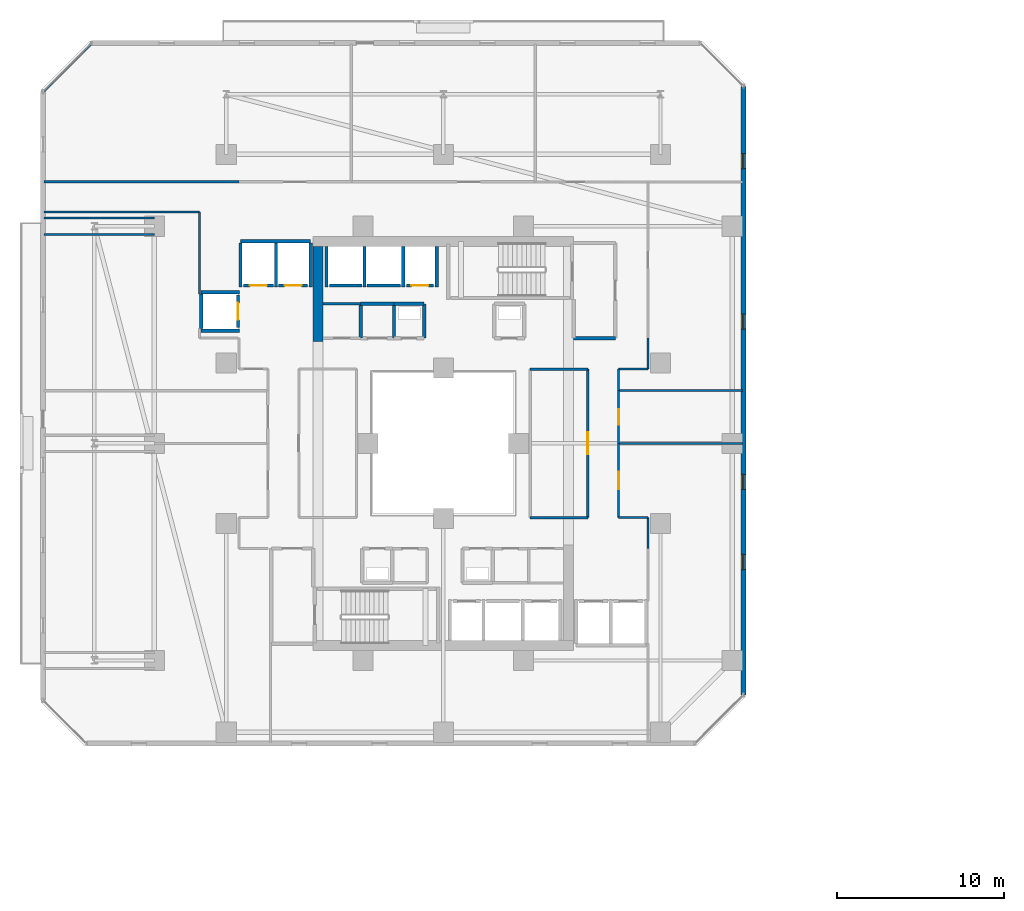
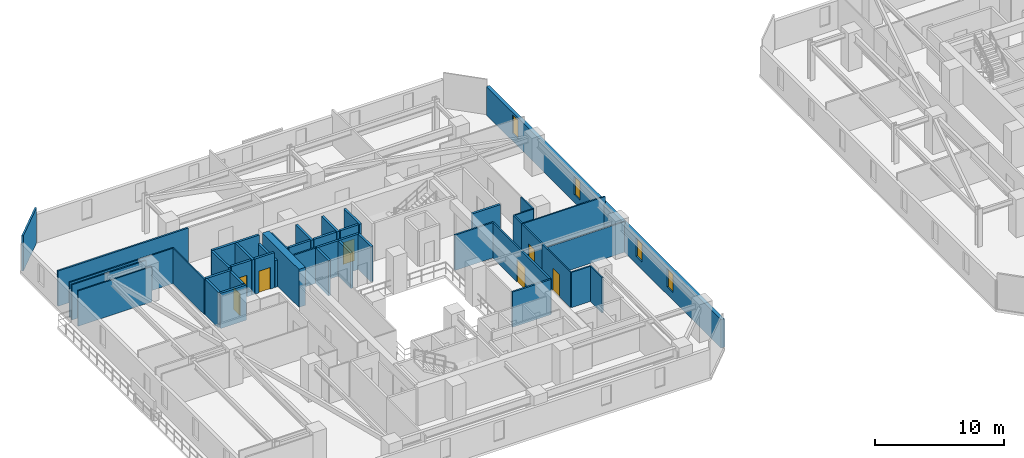
# One storey, part 21 of 33: 44 walls, 7 doors, 4 windows, 11 openings.
"""IFC4 building model written with IfcOpenShell, lengths in metres."""

from ifc_helpers import new_model, si_unit, direction, frame, frame_2d, origin, place, context, subcontext, project, spatial, rectangle, extrude, material, layer, layer_set, type_object, element, fill, save


model = new_model("IFC4")

# Units and contexts
model_context = context("Model", 3, precision=1e-05, world=origin(), true_north=direction((0.0, 1.0)))
body_context = subcontext(model_context, "Body", "Model", "MODEL_VIEW")
ifc_project = project(units=[si_unit("LENGTHUNIT", "METRE"), si_unit("AREAUNIT", "SQUARE_METRE"), si_unit("VOLUMEUNIT", "CUBIC_METRE"), si_unit("PLANEANGLEUNIT", "RADIAN"), si_unit("MASSUNIT", "GRAM", prefix="KILO")], contexts=[model_context])

# Site, building, storey
site_placement = place(None, origin())
site = spatial("IfcSite", under=ifc_project, at=site_placement, CompositionType="ELEMENT")
building_placement = place(site_placement, origin())
building = spatial("IfcBuilding", under=site, at=building_placement, Name="Thornwick Lancets Civic Towers", CompositionType="ELEMENT")
storey_placement = place(building_placement, frame((0.0, 0.0, 112.5)))
storey = spatial("IfcBuildingStorey", under=building, at=storey_placement, Name="L29", CompositionType="ELEMENT", Elevation=112.5)

# Wall, opening, door
ifc_material_1 = material(Name="Concrete blockwork C40/50", Category="masonry")
ifc_layer_1 = layer(ifc_material_1, 0.199951171875, Name="Concrete blockwork C40/50")
ifc_layer_set_1 = layer_set([ifc_layer_1], Name="Concrete blockwork C40/50")
wall_type_1 = type_object("IfcWallType", Name="WALL_COMP_200", PredefinedType="STANDARD", material=ifc_layer_set_1)
wall_1_placement = place(storey_placement, frame((24.919921875, 36.449951171875, 0.0), z_axis=(0.0, 0.0, 1.0), x_axis=(-1.0, 0.0, 0.0)))
wall_1 = element("IfcWall", 1, at=wall_1_placement, inside=storey, type_object=wall_type_1, Name="L29 Hoistway Front Wall FL-A2", PredefinedType="STANDARD", context=body_context, shape_type="SweptSolid", body=[
    extrude(rectangle(XDim=1.639892578125, YDim=0.199951171875, at=frame_2d((0.81982421875, 0.0))), origin(), (0.0, 0.0, 1.0), 3.340087890625),
])
opening_1_placement = place(wall_1_placement, frame((0.31005859375, 0.0, 0.0)))
opening_1 = element("IfcOpeningElement", 2, at=opening_1_placement, cuts=wall_1, Name="Opening LD-FL-A2", PredefinedType="OPENING", context=body_context, shape_type="SweptSolid", body=[
    extrude(rectangle(XDim=1.02001953125, YDim=2.06005859375, at=frame_2d((0.510009765625, 1.030029296875))), frame((0.0, 0.10986328125, 0.0), z_axis=(0.0, -1.0, 0.0), x_axis=(1.0, 0.0, 0.0)), (0.0, 0.0, 1.0), 0.219970703125),
])
ifc_material_2 = material(Name="Brushed bronze stainless steel", Category="steel")
door_type_1 = type_object("IfcDoorType", Name="DOOR_LIFT_SLIDE", OperationType="SLIDING_TO_LEFT", PredefinedType="DOOR", material=ifc_material_2)
door_1_placement = place(opening_1_placement, origin())
door_1 = element("IfcDoor", 3, at=door_1_placement, inside=storey, type_object=door_type_1, Name="L29 Sliding Lift Landing Door LD-FL-A2", OperationType="SLIDING_TO_LEFT", OverallHeight=2.06005859375, OverallWidth=1.02001953125, PredefinedType="DOOR", context=body_context, shape_type="SweptSolid", body=[
    extrude(rectangle(XDim=1.02001953125, YDim=2.06005859375, at=frame_2d((0.510009765625, 1.030029296875))), frame((0.0, 0.02490234375, 0.0), z_axis=(0.0, -1.0, 0.0), x_axis=(1.0, 0.0, 0.0)), (0.0, 0.0, 1.0), 0.050048828125),
])
fill(opening_1, door_1)

# Walls
wall_2_placement = place(storey_placement, frame((22.919921875, 36.449951171875, 0.0), z_axis=(0.0, 0.0, 1.0), x_axis=(-1.0, 0.0, 0.0)))
element("IfcWall", 4, at=wall_2_placement, inside=storey, type_object=wall_type_1, Name="L29 Hoistway Front Wall PL-AH2", PredefinedType="STANDARD", context=body_context, shape_type="SweptSolid", body=[
    extrude(rectangle(XDim=1.989990234375, YDim=0.199951171875, at=frame_2d((0.9951171875, 0.0))), origin(), (0.0, 0.0, 1.0), 3.340087890625),
])
wall_3_placement = place(storey_placement, frame((20.6201171875, 36.449951171875, 0.0), z_axis=(0.0, 0.0, 1.0), x_axis=(-1.0, 0.0, 0.0)))
element("IfcWall", 5, at=wall_3_placement, inside=storey, type_object=wall_type_1, Name="L29 Hoistway Front Wall PL-AH3", PredefinedType="STANDARD", context=body_context, shape_type="SweptSolid", body=[
    extrude(rectangle(XDim=1.940185546875, YDim=0.199951171875, at=frame_2d((0.97021484375, 0.0))), origin(), (0.0, 0.0, 1.0), 3.340087890625),
])

# Wall, opening, door
wall_4_placement = place(storey_placement, frame((17.3701171875, 36.449951171875, 0.0), z_axis=(0.0, 0.0, 1.0), x_axis=(-1.0, 0.0, 0.0)))
wall_4 = element("IfcWall", 6, at=wall_4_placement, inside=storey, type_object=wall_type_1, Name="L29 Hoistway Front Wall PL-AM1", PredefinedType="STANDARD", context=body_context, shape_type="SweptSolid", body=[
    extrude(rectangle(XDim=1.740234375, YDim=0.199951171875, at=frame_2d((0.8701171875, 0.0))), origin(), (0.0, 0.0, 1.0), 3.340087890625),
])
opening_2_placement = place(wall_4_placement, frame((0.360107421875, 0.0, 0.0)))
opening_2 = element("IfcOpeningElement", 7, at=opening_2_placement, cuts=wall_4, Name="Opening LD-PL-AM1", PredefinedType="OPENING", context=body_context, shape_type="SweptSolid", body=[
    extrude(rectangle(XDim=1.02001953125, YDim=2.06005859375, at=frame_2d((0.510009765625, 1.030029296875))), frame((0.0, 0.10986328125, 0.0), z_axis=(0.0, -1.0, 0.0), x_axis=(1.0, 0.0, 0.0)), (0.0, 0.0, 1.0), 0.219970703125),
])
door_2_placement = place(opening_2_placement, origin())
door_2 = element("IfcDoor", 8, at=door_2_placement, inside=storey, type_object=door_type_1, Name="L29 Sliding Lift Landing Door LD-PL-AM1", OperationType="SLIDING_TO_LEFT", OverallHeight=2.06005859375, OverallWidth=1.02001953125, PredefinedType="DOOR", context=body_context, shape_type="SweptSolid", body=[
    extrude(rectangle(XDim=1.02001953125, YDim=2.06005859375, at=frame_2d((0.510009765625, 1.030029296875))), frame((0.0, 0.02490234375, 0.0), z_axis=(0.0, -1.0, 0.0), x_axis=(1.0, 0.0, 0.0)), (0.0, 0.0, 1.0), 0.050048828125),
])
fill(opening_2, door_2)

wall_5_placement = place(storey_placement, frame((15.320068359375, 36.449951171875, 0.0), z_axis=(0.0, 0.0, 1.0), x_axis=(-1.0, 0.0, 0.0)))
wall_5 = element("IfcWall", 9, at=wall_5_placement, inside=storey, type_object=wall_type_1, Name="L29 Hoistway Front Wall PL-AM2", PredefinedType="STANDARD", context=body_context, shape_type="SweptSolid", body=[
    extrude(rectangle(XDim=1.7900390625, YDim=0.199951171875, at=frame_2d((0.89501953125, 0.0))), origin(), (0.0, 0.0, 1.0), 3.340087890625),
])
opening_3_placement = place(wall_5_placement, frame((0.385009765625, 0.0, 0.0)))
opening_3 = element("IfcOpeningElement", 10, at=opening_3_placement, cuts=wall_5, Name="Opening LD-PL-AM2", PredefinedType="OPENING", context=body_context, shape_type="SweptSolid", body=[
    extrude(rectangle(XDim=1.02001953125, YDim=2.06005859375, at=frame_2d((0.510009765625, 1.030029296875))), frame((0.0, 0.10986328125, 0.0), z_axis=(0.0, -1.0, 0.0), x_axis=(1.0, 0.0, 0.0)), (0.0, 0.0, 1.0), 0.219970703125),
])
door_3_placement = place(opening_3_placement, origin())
door_3 = element("IfcDoor", 11, at=door_3_placement, inside=storey, type_object=door_type_1, Name="L29 Sliding Lift Landing Door LD-PL-AM2", OperationType="SLIDING_TO_LEFT", OverallHeight=2.06005859375, OverallWidth=1.02001953125, PredefinedType="DOOR", context=body_context, shape_type="SweptSolid", body=[
    extrude(rectangle(XDim=1.02001953125, YDim=2.06005859375, at=frame_2d((0.510009765625, 1.030029296875))), frame((0.0, 0.02490234375, 0.0), z_axis=(0.0, -1.0, 0.0), x_axis=(1.0, 0.0, 0.0)), (0.0, 0.0, 1.0), 0.050048828125),
])
fill(opening_3, door_3)

wall_6_placement = place(storey_placement, frame((13.199951171875, 33.929931640625, 0.0), z_axis=(0.0, 0.0, 1.0), x_axis=(0.0, 1.0, 0.0)))
wall_6 = element("IfcWall", 12, at=wall_6_placement, inside=storey, type_object=wall_type_1, Name="L29 Hoistway Front Wall PL-AM3", PredefinedType="STANDARD", context=body_context, shape_type="SweptSolid", body=[
    extrude(rectangle(XDim=1.940185546875, YDim=0.199951171875, at=frame_2d((0.97021484375, 0.0))), origin(), (0.0, 0.0, 1.0), 3.340087890625),
])
opening_4_placement = place(wall_6_placement, frame((0.4599609375, 0.0, 0.0)))
opening_4 = element("IfcOpeningElement", 13, at=opening_4_placement, cuts=wall_6, Name="Opening LD-PL-AM3", PredefinedType="OPENING", context=body_context, shape_type="SweptSolid", body=[
    extrude(rectangle(XDim=1.02001953125, YDim=2.06005859375, at=frame_2d((0.510009765625, 1.030029296875))), frame((0.0, 0.10986328125, 0.0), z_axis=(0.0, -1.0, 0.0), x_axis=(1.0, 0.0, 0.0)), (0.0, 0.0, 1.0), 0.219970703125),
])
door_4_placement = place(opening_4_placement, origin())
door_4 = element("IfcDoor", 14, at=door_4_placement, inside=storey, type_object=door_type_1, Name="L29 Sliding Lift Landing Door LD-PL-AM3", OperationType="SLIDING_TO_LEFT", OverallHeight=2.06005859375, OverallWidth=1.02001953125, PredefinedType="DOOR", context=body_context, shape_type="SweptSolid", body=[
    extrude(rectangle(XDim=1.02001953125, YDim=2.06005859375, at=frame_2d((0.510009765625, 1.030029296875))), frame((0.0, 0.02490234375, 0.0), z_axis=(0.0, -1.0, 0.0), x_axis=(1.0, 0.0, 0.0)), (0.0, 0.0, 1.0), 0.050048828125),
])
fill(opening_4, door_4)

# Walls
for number, where, z_axis, x_axis, name in (
    (15, (25.10009765625, 36.35205078125, 0.0), (0.0, 0.0, 1.0), (0.0, 1.0, 0.0), "L29 Hoistway Shaft Wall FL-A2 E"),
    (16, (23.10009765625, 36.35205078125, 0.0), (0.0, 0.0, 1.0), (0.0, 1.0, 0.0), "L29 Hoistway Shaft Wall FL-A2 W"),
    (17, (20.77490234375, 36.35205078125, 0.0), (0.0, 0.0, 1.0), (0.0, 1.0, 0.0), "L29 Hoistway Shaft Wall PL-AH2 W"),
    (18, (18.5, 36.35205078125, 0.0), (0.0, 0.0, 1.0), (0.0, 1.0, 0.0), "L29 Hoistway Shaft Wall PL-AH3 W"),
):
    element("IfcWall", number, at=place(storey_placement, frame(where, z_axis=z_axis, x_axis=x_axis)), inside=storey, type_object=wall_type_1, Name=name, PredefinedType="STANDARD", context=body_context, shape_type="SweptSolid", body=[
        extrude(rectangle(XDim=2.43603515625, YDim=0.199951171875, at=frame_2d((1.218017578125, 0.0))), origin(), (0.0, 0.0, 1.0), 3.340087890625),
    ])
wall_7_placement = place(storey_placement, frame((13.35205078125, 39.10009765625, 0.0), z_axis=(0.0, 0.0, 1.0), x_axis=(1.0, 0.0, 0.0)))
element("IfcWall", 19, at=wall_7_placement, inside=storey, type_object=wall_type_1, Name="L29 Hoistway Shaft Wall PL-AM1 N", PredefinedType="STANDARD", context=body_context, shape_type="SweptSolid", body=[
    extrude(rectangle(XDim=4.196044921875, YDim=0.199951171875, at=frame_2d((2.09814453125, 0.0))), origin(), (0.0, 0.0, 1.0), 3.340087890625),
])
wall_8_placement = place(storey_placement, frame((17.550048828125, 36.35205078125, 0.0), z_axis=(0.0, 0.0, 1.0), x_axis=(0.0, 1.0, 0.0)))
element("IfcWall", 20, at=wall_8_placement, inside=storey, type_object=wall_type_1, Name="L29 Hoistway Shaft Wall PL-AM1 E", PredefinedType="STANDARD", context=body_context, shape_type="SweptSolid", body=[
    extrude(rectangle(XDim=2.635986328125, YDim=0.199951171875, at=frame_2d((1.31787109375, 0.0))), origin(), (0.0, 0.0, 1.0), 2.544921875),
])
for number, where, z_axis, x_axis, name in (
    (21, (15.47509765625, 36.35205078125, 0.0), (0.0, 0.0, 1.0), (0.0, 1.0, 0.0), "L29 Hoistway Shaft Wall PL-AM1 W"),
    (22, (13.35009765625, 36.35205078125, 0.0), (0.0, 0.0, 1.0), (0.0, 1.0, 0.0), "L29 Hoistway Shaft Wall PL-AM2 W"),
):
    element("IfcWall", number, at=place(storey_placement, frame(where, z_axis=z_axis, x_axis=x_axis)), inside=storey, type_object=wall_type_1, Name=name, PredefinedType="STANDARD", context=body_context, shape_type="SweptSolid", body=[
        extrude(rectangle(XDim=2.635986328125, YDim=0.199951171875, at=frame_2d((1.31787109375, 0.0))), origin(), (0.0, 0.0, 1.0), 3.340087890625),
    ])
for number, where, z_axis, x_axis, name in (
    (23, (11.001953125, 36.050048828125, 0.0), (0.0, 0.0, 1.0), (1.0, 0.0, 0.0), "L29 Hoistway Shaft Wall PL-AM3 N"),
    (24, (11.001953125, 33.75, 0.0), (0.0, 0.0, 1.0), (1.0, 0.0, 0.0), "L29 Hoistway Shaft Wall PL-AM3 S"),
):
    element("IfcWall", number, at=place(storey_placement, frame(where, z_axis=z_axis, x_axis=x_axis)), inside=storey, type_object=wall_type_1, Name=name, PredefinedType="STANDARD", context=body_context, shape_type="SweptSolid", body=[
        extrude(rectangle(XDim=2.296142578125, YDim=0.199951171875, at=frame_2d((1.14794921875, 0.0))), origin(), (0.0, 0.0, 1.0), 3.340087890625),
    ])
wall_9_placement = place(storey_placement, frame((11.0, 33.862060546875, 0.0), z_axis=(0.0, 0.0, 1.0), x_axis=(0.0, 1.0, 0.0)))
element("IfcWall", 25, at=wall_9_placement, inside=storey, type_object=wall_type_1, Name="L29 Hoistway Shaft Wall PL-AM3 W", PredefinedType="STANDARD", context=body_context, shape_type="SweptSolid", body=[
    extrude(rectangle(XDim=2.075927734375, YDim=0.199951171875, at=frame_2d((1.0380859375, 0.0))), origin(), (0.0, 0.0, 1.0), 3.340087890625),
])
wall_10_placement = place(storey_placement, frame((33.300048828125, 33.300048828125, 0.0), z_axis=(0.0, 0.0, 1.0), x_axis=(1.0, 0.0, 0.0)))
element("IfcWall", 26, at=wall_10_placement, inside=storey, type_object=wall_type_1, Name="L29 Partition L29-A-FFLOB2 E1", PredefinedType="STANDARD", context=body_context, shape_type="SweptSolid", body=[
    extrude(rectangle(XDim=2.5, YDim=0.199951171875, at=frame_2d((1.25, 0.0))), origin(), (0.0, 0.0, 1.0), 3.340087890625),
])
wall_11_placement = place(storey_placement, frame((24.35009765625, 33.300048828125, 0.0), z_axis=(0.0, 0.0, 1.0), x_axis=(0.0, 1.0, 0.0)))
element("IfcWall", 27, at=wall_11_placement, inside=storey, type_object=wall_type_1, Name="L29 Partition L29-A-DUCT2 E2", PredefinedType="STANDARD", context=body_context, shape_type="SweptSolid", body=[
    extrude(rectangle(XDim=2.050048828125, YDim=0.199951171875, at=frame_2d((1.02490234375, 0.0))), origin(), (0.0, 0.0, 1.0), 3.340087890625),
])
wall_12_placement = place(storey_placement, frame((24.35009765625, 35.35009765625, 0.0), z_axis=(0.0, 0.0, 1.0), x_axis=(-1.0, 0.0, 0.0)))
element("IfcWall", 28, at=wall_12_placement, inside=storey, type_object=wall_type_1, Name="L29 Partition L29-A-DUCT2 E3", PredefinedType="STANDARD", context=body_context, shape_type="SweptSolid", body=[
    extrude(rectangle(XDim=1.800048828125, YDim=0.199951171875, at=frame_2d((0.89990234375, 0.0))), origin(), (0.0, 0.0, 1.0), 3.340087890625),
])
for number, where, z_axis, x_axis, name in (
    (29, (22.550048828125, 35.35009765625, 0.0), (0.0, 0.0, 1.0), (0.0, -1.0, 0.0), "L29 Partition L29-A-DUCT2 E4"),
    (30, (20.550048828125, 33.300048828125, 0.0), (0.0, 0.0, 1.0), (0.0, 1.0, 0.0), "L29 Partition L29-A-STR E1"),
):
    element("IfcWall", number, at=place(storey_placement, frame(where, z_axis=z_axis, x_axis=x_axis)), inside=storey, type_object=wall_type_1, Name=name, PredefinedType="STANDARD", context=body_context, shape_type="SweptSolid", body=[
        extrude(rectangle(XDim=2.050048828125, YDim=0.199951171875, at=frame_2d((1.02490234375, 0.0))), origin(), (0.0, 0.0, 1.0), 3.340087890625),
    ])
wall_13_placement = place(storey_placement, frame((20.550048828125, 35.35009765625, 0.0), z_axis=(0.0, 0.0, 1.0), x_axis=(1.0, 0.0, 0.0)))
element("IfcWall", 31, at=wall_13_placement, inside=storey, type_object=wall_type_1, Name="L29 Partition L29-A-STR E2", PredefinedType="STANDARD", context=body_context, shape_type="SweptSolid", body=[
    extrude(rectangle(XDim=2.0, YDim=0.199951171875, at=frame_2d((1.0, 0.0))), origin(), (0.0, 0.0, 1.0), 3.340087890625),
])
ifc_material_3 = material(Name="Concrete C60/75", Category="concrete")
ifc_layer_2 = layer(ifc_material_3, 0.60009765625, Name="Concrete C60/75")
ifc_layer_set_2 = layer_set([ifc_layer_2], Name="Concrete C60/75")
wall_type_2 = type_object("IfcWallType", Name="WALL_CORE_600", PredefinedType="SHEAR", material=ifc_layer_set_2)
wall_14_placement = place(storey_placement, frame((18.0, 33.10009765625, 0.0), z_axis=(0.0, 0.0, 1.0), x_axis=(0.0, 1.0, 0.0)))
element("IfcWall", 32, at=wall_14_placement, inside=storey, type_object=wall_type_2, Name="L29 Split Core A2 Shear Wall W", PredefinedType="SHEAR", context=body_context, shape_type="SweptSolid", body=[
    extrude(rectangle(XDim=5.699951171875, YDim=0.60009765625, at=frame_2d((2.85009765625, 0.0))), origin(), (0.0, 0.0, 1.0), 3.60009765625),
])

# Wall, openings, windows
ifc_material_4 = material(Name="Insulated russet terracotta rainscreen on concrete C40/50", Category="masonry")
ifc_layer_3 = layer(ifc_material_4, 0.300048828125, Name="Insulated russet terracotta rainscreen on concrete C40/50")
ifc_layer_set_3 = layer_set([ifc_layer_3], Name="Insulated russet terracotta rainscreen on concrete C40/50")
wall_type_3 = type_object("IfcWallType", Name="WALL_EXT_RUSSET_300", PredefinedType="STANDARD", material=ifc_layer_set_3)
wall_15_placement = place(storey_placement, frame((43.463623046875, 11.944580078125, 0.0), z_axis=(0.0, 0.0, 1.0), x_axis=(2.6801568e-05, 0.999999999641, 0.0)))
wall_15 = element("IfcWall", 33, at=wall_15_placement, inside=storey, type_object=wall_type_3, Name="L29 Tower A Terracotta Facade Wall E2", PredefinedType="STANDARD", context=body_context, shape_type="SweptSolid", body=[
    extrude(rectangle(XDim=36.436767578125, YDim=0.300048828125, at=frame_2d((18.21826171875, 0.0))), origin(), (0.0, 0.0, 1.0), 2.699951171875),
])
opening_5_placement = place(wall_15_placement, frame((7.5, 0.0, 0.719970703125)))
opening_5 = element("IfcOpeningElement", 34, at=opening_5_placement, cuts=wall_15, Name="Opening WL-01", PredefinedType="OPENING", context=body_context, shape_type="SweptSolid", body=[
    extrude(rectangle(XDim=0.89990234375, YDim=1.75, at=frame_2d((0.449951171875, 0.875))), frame((0.0, 0.16015625, 0.0), z_axis=(0.0, -1.0, 0.0), x_axis=(1.0, 0.0, 0.0)), (0.0, 0.0, 1.0), 0.320068359375),
])
opening_6_placement = place(wall_15_placement, frame((12.300048828125, 0.0, 0.719970703125)))
opening_6 = element("IfcOpeningElement", 35, at=opening_6_placement, cuts=wall_15, Name="Opening WL-01", PredefinedType="OPENING", context=body_context, shape_type="SweptSolid", body=[
    extrude(rectangle(XDim=0.89990234375, YDim=1.75, at=frame_2d((0.449951171875, 0.875))), frame((0.0, 0.16015625, 0.0), z_axis=(0.0, -1.0, 0.0), x_axis=(1.0, 0.0, 0.0)), (0.0, 0.0, 1.0), 0.320068359375),
])
opening_7_placement = place(wall_15_placement, frame((21.89990234375, 0.0, 0.719970703125)))
opening_7 = element("IfcOpeningElement", 36, at=opening_7_placement, cuts=wall_15, Name="Opening WL-01", PredefinedType="OPENING", context=body_context, shape_type="SweptSolid", body=[
    extrude(rectangle(XDim=0.89990234375, YDim=1.75, at=frame_2d((0.449951171875, 0.875))), frame((0.0, 0.16015625, 0.0), z_axis=(0.0, -1.0, 0.0), x_axis=(1.0, 0.0, 0.0)), (0.0, 0.0, 1.0), 0.320068359375),
])
opening_8_placement = place(wall_15_placement, frame((31.5, 0.0, 0.719970703125)))
opening_8 = element("IfcOpeningElement", 37, at=opening_8_placement, cuts=wall_15, Name="Opening WL-01", PredefinedType="OPENING", context=body_context, shape_type="SweptSolid", body=[
    extrude(rectangle(XDim=0.89990234375, YDim=1.75, at=frame_2d((0.449951171875, 0.875))), frame((0.0, 0.16015625, 0.0), z_axis=(0.0, -1.0, 0.0), x_axis=(1.0, 0.0, 0.0)), (0.0, 0.0, 1.0), 0.320068359375),
])
ifc_material_5 = material(Name="Clear low-e double glazing in bronze frame", Category="glass")
window_type = type_object("IfcWindowType", Name="WIN_LANCET_900", PartitioningType="SINGLE_PANEL", PredefinedType="WINDOW", material=ifc_material_5)
window_1_placement = place(opening_5_placement, origin())
window_1 = element("IfcWindow", 38, at=window_1_placement, inside=storey, type_object=window_type, Name="L29 Tower A Staggered Lancet Window E2-1", OverallHeight=1.75, OverallWidth=0.89990234375, PartitioningType="SINGLE_PANEL", PredefinedType="WINDOW", context=body_context, shape_type="SweptSolid", body=[
    extrude(rectangle(XDim=0.89990234375, YDim=1.75, at=frame_2d((0.449951171875, 0.875))), frame((0.0, 0.030029296875, 0.0), z_axis=(0.0, -1.0, 0.0), x_axis=(1.0, 0.0, 0.0)), (0.0, 0.0, 1.0), 0.06005859375),
])
fill(opening_5, window_1)
window_2_placement = place(opening_6_placement, origin())
window_2 = element("IfcWindow", 39, at=window_2_placement, inside=storey, type_object=window_type, Name="L29 Tower A Staggered Lancet Window E2-2", OverallHeight=1.75, OverallWidth=0.89990234375, PartitioningType="SINGLE_PANEL", PredefinedType="WINDOW", context=body_context, shape_type="SweptSolid", body=[
    extrude(rectangle(XDim=0.89990234375, YDim=1.75, at=frame_2d((0.449951171875, 0.875))), frame((0.0, 0.030029296875, 0.0), z_axis=(0.0, -1.0, 0.0), x_axis=(1.0, 0.0, 0.0)), (0.0, 0.0, 1.0), 0.06005859375),
])
fill(opening_6, window_2)
window_3_placement = place(opening_7_placement, origin())
window_3 = element("IfcWindow", 40, at=window_3_placement, inside=storey, type_object=window_type, Name="L29 Tower A Staggered Lancet Window E2-3", OverallHeight=1.75, OverallWidth=0.89990234375, PartitioningType="SINGLE_PANEL", PredefinedType="WINDOW", context=body_context, shape_type="SweptSolid", body=[
    extrude(rectangle(XDim=0.89990234375, YDim=1.75, at=frame_2d((0.449951171875, 0.875))), frame((0.0, 0.030029296875, 0.0), z_axis=(0.0, -1.0, 0.0), x_axis=(1.0, 0.0, 0.0)), (0.0, 0.0, 1.0), 0.06005859375),
])
fill(opening_7, window_3)
window_4_placement = place(opening_8_placement, origin())
window_4 = element("IfcWindow", 41, at=window_4_placement, inside=storey, type_object=window_type, Name="L29 Tower A Staggered Lancet Window E2-4", OverallHeight=1.75, OverallWidth=0.89990234375, PartitioningType="SINGLE_PANEL", PredefinedType="WINDOW", context=body_context, shape_type="SweptSolid", body=[
    extrude(rectangle(XDim=0.89990234375, YDim=1.75, at=frame_2d((0.449951171875, 0.875))), frame((0.0, 0.030029296875, 0.0), z_axis=(0.0, -1.0, 0.0), x_axis=(1.0, 0.0, 0.0)), (0.0, 0.0, 1.0), 0.06005859375),
])
fill(opening_8, window_4)

# Walls
ifc_material_6 = material(Name="Acoustic gypsum board partition")
ifc_layer_4 = layer(ifc_material_6, 0.1201171875, Name="Acoustic gypsum board partition")
ifc_layer_set_4 = layer_set([ifc_layer_4], Name="Acoustic gypsum board partition")
wall_type_4 = type_object("IfcWallType", Name="WALL_PART_120", PredefinedType="PARTITIONING", material=ifc_layer_set_4)
wall_16_placement = place(storey_placement, frame((10.89990234375, 40.85009765625, 0.0), z_axis=(0.0, 0.0, 1.0), x_axis=(0.0, -1.0, 0.0)))
element("IfcWall", 42, at=wall_16_placement, inside=storey, type_object=wall_type_4, Name="L29 Partition L29-A-W3 E1", PredefinedType="PARTITIONING", context=body_context, shape_type="SweptSolid", body=[
    extrude(rectangle(XDim=4.912109375, YDim=0.1201171875, at=frame_2d((2.4560546875, 0.0))), origin(), (0.0, 0.0, 1.0), 3.340087890625),
])
for number, where, z_axis, x_axis, name in (
    (43, (1.580078125, 39.52001953125, 0.0), (0.0, 0.0, 1.0), (1.0, 0.0, 0.0), "L29 Partition L29-A-W3 E9"),
    (44, (8.199951171875, 40.47998046875, 0.0), (0.0, 0.0, 1.0), (-1.0, 0.0, 0.0), "L29 Partition L29-A-W3 E11"),
):
    element("IfcWall", number, at=place(storey_placement, frame(where, z_axis=z_axis, x_axis=x_axis)), inside=storey, type_object=wall_type_4, Name=name, PredefinedType="PARTITIONING", context=body_context, shape_type="SweptSolid", body=[
        extrude(rectangle(XDim=6.619873046875, YDim=0.1201171875, at=frame_2d((3.31005859375, 0.0))), origin(), (0.0, 0.0, 1.0), 3.340087890625),
    ])
wall_17_placement = place(storey_placement, frame((1.580078125, 40.85009765625, 0.0), z_axis=(0.0, 0.0, 1.0), x_axis=(1.0, 0.0, 0.0)))
element("IfcWall", 45, at=wall_17_placement, inside=storey, type_object=wall_type_4, Name="L29 Partition L29-A-W3 E13", PredefinedType="PARTITIONING", context=body_context, shape_type="SweptSolid", body=[
    extrude(rectangle(XDim=9.31982421875, YDim=0.1201171875, at=frame_2d((4.659912109375, 0.0))), origin(), (0.0, 0.0, 1.0), 3.340087890625),
])
wall_18_placement = place(storey_placement, frame((37.75, 20.699951171875, 0.0), z_axis=(0.0, 0.0, 1.0), x_axis=(0.0, 1.0, 0.0)))
element("IfcWall", 46, at=wall_18_placement, inside=storey, type_object=wall_type_4, Name="L29 Partition L29-A-E1 E2", PredefinedType="PARTITIONING", context=body_context, shape_type="SweptSolid", body=[
    extrude(rectangle(XDim=1.85009765625, YDim=0.1201171875, at=frame_2d((0.925048828125, 0.0))), origin(), (0.0, 0.0, 1.0), 3.340087890625),
])
wall_19_placement = place(storey_placement, frame((37.75, 22.550048828125, 0.0), z_axis=(0.0, 0.0, 1.0), x_axis=(-1.0, 0.0, 0.0)))
element("IfcWall", 47, at=wall_19_placement, inside=storey, type_object=wall_type_4, Name="L29 Partition L29-A-E1 E3", PredefinedType="PARTITIONING", context=body_context, shape_type="SweptSolid", body=[
    extrude(rectangle(XDim=1.75, YDim=0.1201171875, at=frame_2d((0.875, 0.0))), origin(), (0.0, 0.0, 1.0), 3.340087890625),
])

# Wall, opening, door
wall_20_placement = place(storey_placement, frame((36.0, 22.550048828125, 0.0), z_axis=(0.0, 0.0, 1.0), x_axis=(0.0, 1.0, 0.0)))
wall_20 = element("IfcWall", 48, at=wall_20_placement, inside=storey, type_object=wall_type_4, Name="L29 Partition L29-A-E1 E4", PredefinedType="PARTITIONING", context=body_context, shape_type="SweptSolid", body=[
    extrude(rectangle(XDim=4.449951171875, YDim=0.1201171875, at=frame_2d((2.22509765625, 0.0))), origin(), (0.0, 0.0, 1.0), 3.340087890625),
])
opening_9_placement = place(wall_20_placement, frame((1.699951171875, 0.0, 0.0)))
opening_9 = element("IfcOpeningElement", 49, at=opening_9_placement, cuts=wall_20, Name="Opening D-L29-1346", PredefinedType="OPENING", context=body_context, shape_type="SweptSolid", body=[
    extrude(rectangle(XDim=1.050048828125, YDim=2.10009765625, at=frame_2d((0.52490234375, 1.050048828125))), frame((0.0, 0.070068359375, 0.0), z_axis=(0.0, -1.0, 0.0), x_axis=(1.0, 0.0, 0.0)), (0.0, 0.0, 1.0), 0.14013671875),
])
ifc_material_7 = material(Name="Glazed European oak executive doorset")
door_type_2 = type_object("IfcDoorType", Name="DOOR_OFFICE_1050", OperationType="NOTDEFINED", PredefinedType="DOOR", material=ifc_material_7)
door_5_placement = place(opening_9_placement, origin())
door_5 = element("IfcDoor", 50, at=door_5_placement, inside=storey, type_object=door_type_2, Name="L29 Tower A Secretariat Open Office E1 Door", OperationType="SINGLE_SWING_LEFT", OverallHeight=2.10009765625, OverallWidth=1.050048828125, PredefinedType="DOOR", context=body_context, shape_type="SweptSolid", body=[
    extrude(rectangle(XDim=1.050048828125, YDim=2.10009765625, at=frame_2d((0.52490234375, 1.050048828125))), frame((0.0, 0.02490234375, 0.0), z_axis=(0.0, -1.0, 0.0), x_axis=(1.0, 0.0, 0.0)), (0.0, 0.0, 1.0), 0.050048828125),
])
fill(opening_9, door_5)

# Wall
wall_21_placement = place(storey_placement, frame((36.0, 27.0, 0.0), z_axis=(0.0, 0.0, 1.0), x_axis=(1.0, 0.0, 0.0)))
element("IfcWall", 51, at=wall_21_placement, inside=storey, type_object=wall_type_4, Name="L29 Partition L29-A-E1 E5", PredefinedType="PARTITIONING", context=body_context, shape_type="SweptSolid", body=[
    extrude(rectangle(XDim=7.419921875, YDim=0.1201171875, at=frame_2d((3.7099609375, 0.0))), origin(), (0.0, 0.0, 1.0), 2.881591796875),
])

# Wall, opening, door
wall_22_placement = place(storey_placement, frame((36.0, 27.0, 0.0), z_axis=(0.0, 0.0, 1.0), x_axis=(0.0, 1.0, 0.0)))
wall_22 = element("IfcWall", 52, at=wall_22_placement, inside=storey, type_object=wall_type_4, Name="L29 Partition L29-A-E2 E1", PredefinedType="PARTITIONING", context=body_context, shape_type="SweptSolid", body=[
    extrude(rectangle(XDim=3.14990234375, YDim=0.1201171875, at=frame_2d((1.574951171875, 0.0))), origin(), (0.0, 0.0, 1.0), 3.340087890625),
])
opening_10_placement = place(wall_22_placement, frame((1.10009765625, 0.0, 0.0)))
opening_10 = element("IfcOpeningElement", 53, at=opening_10_placement, cuts=wall_22, Name="Opening D-L29-1347", PredefinedType="OPENING", context=body_context, shape_type="SweptSolid", body=[
    extrude(rectangle(XDim=0.949951171875, YDim=2.10009765625, at=frame_2d((0.47509765625, 1.050048828125))), frame((0.0, 0.070068359375, 0.0), z_axis=(0.0, -1.0, 0.0), x_axis=(1.0, 0.0, 0.0)), (0.0, 0.0, 1.0), 0.14013671875),
])
ifc_material_8 = material(Name="European oak acoustic doorset")
door_type_3 = type_object("IfcDoorType", Name="DOOR_OFFICE_950", OperationType="NOTDEFINED", PredefinedType="DOOR", material=ifc_material_8)
door_6_placement = place(opening_10_placement, origin())
door_6 = element("IfcDoor", 54, at=door_6_placement, inside=storey, type_object=door_type_3, Name="L29 Tower A Visitors Reception and Waiting Door", OperationType="SINGLE_SWING_RIGHT", OverallHeight=2.10009765625, OverallWidth=0.949951171875, PredefinedType="DOOR", context=body_context, shape_type="SweptSolid", body=[
    extrude(rectangle(XDim=0.949951171875, YDim=2.10009765625, at=frame_2d((0.47509765625, 1.050048828125))), frame((0.0, 0.02490234375, 0.0), z_axis=(0.0, -1.0, 0.0), x_axis=(1.0, 0.0, 0.0)), (0.0, 0.0, 1.0), 0.050048828125),
])
fill(opening_10, door_6)

# Walls
wall_23_placement = place(storey_placement, frame((36.0, 30.14990234375, 0.0), z_axis=(0.0, 0.0, 1.0), x_axis=(1.0, 0.0, 0.0)))
element("IfcWall", 55, at=wall_23_placement, inside=storey, type_object=wall_type_4, Name="L29 Partition L29-A-E2 E2", PredefinedType="PARTITIONING", context=body_context, shape_type="SweptSolid", body=[
    extrude(rectangle(XDim=7.419921875, YDim=0.1201171875, at=frame_2d((3.7099609375, 0.0))), origin(), (0.0, 0.0, 1.0), 3.340087890625),
])
wall_24_placement = place(storey_placement, frame((36.0, 31.449951171875, 0.0), z_axis=(0.0, 0.0, 1.0), x_axis=(1.0, 0.0, 0.0)))
element("IfcWall", 56, at=wall_24_placement, inside=storey, type_object=wall_type_4, Name="L29 Partition L29-A-E3 E1", PredefinedType="PARTITIONING", context=body_context, shape_type="SweptSolid", body=[
    extrude(rectangle(XDim=1.75, YDim=0.1201171875, at=frame_2d((0.875, 0.0))), origin(), (0.0, 0.0, 1.0), 3.340087890625),
])
wall_25_placement = place(storey_placement, frame((37.75, 31.449951171875, 0.0), z_axis=(0.0, 0.0, 1.0), x_axis=(0.0, 1.0, 0.0)))
element("IfcWall", 57, at=wall_25_placement, inside=storey, type_object=wall_type_4, Name="L29 Partition L29-A-E3 E2", PredefinedType="PARTITIONING", context=body_context, shape_type="SweptSolid", body=[
    extrude(rectangle(XDim=1.85009765625, YDim=0.1201171875, at=frame_2d((0.925048828125, 0.0))), origin(), (0.0, 0.0, 1.0), 3.340087890625),
])
wall_26_placement = place(storey_placement, frame((36.0, 30.14990234375, 0.0), z_axis=(0.0, 0.0, 1.0), x_axis=(0.0, 1.0, 0.0)))
element("IfcWall", 58, at=wall_26_placement, inside=storey, type_object=wall_type_4, Name="L29 Partition L29-A-E3 E7", PredefinedType="PARTITIONING", context=body_context, shape_type="SweptSolid", body=[
    extrude(rectangle(XDim=1.300048828125, YDim=0.1201171875, at=frame_2d((0.64990234375, 0.0))), origin(), (0.0, 0.0, 1.0), 3.340087890625),
])
ifc_material_9 = material(Name="Twin-stud acoustic gypsum board")
ifc_layer_5 = layer(ifc_material_9, 0.14990234375, Name="Twin-stud acoustic gypsum board")
ifc_layer_set_5 = layer_set([ifc_layer_5], Name="Twin-stud acoustic gypsum board")
wall_type_5 = type_object("IfcWallType", Name="WALL_PART_150", PredefinedType="PARTITIONING", material=ifc_layer_set_5)
wall_27_placement = place(storey_placement, frame((20.550048828125, 35.35009765625, 0.0), z_axis=(0.0, 0.0, 1.0), x_axis=(-1.0, 0.0, 0.0)))
element("IfcWall", 59, at=wall_27_placement, inside=storey, type_object=wall_type_5, Name="L29 Partition L29-A-AWC E3", PredefinedType="PARTITIONING", context=body_context, shape_type="SweptSolid", body=[
    extrude(rectangle(XDim=2.25, YDim=0.14990234375, at=frame_2d((1.125, 0.0))), origin(), (0.0, 0.0, 1.0), 3.340087890625),
])
wall_28_placement = place(storey_placement, frame((30.699951171875, 31.449951171875, 0.0), z_axis=(0.0, 0.0, 1.0), x_axis=(1.0, 0.0, 0.0)))
element("IfcWall", 60, at=wall_28_placement, inside=storey, type_object=wall_type_5, Name="L29 Partition L29-A-ATR-E E2", PredefinedType="PARTITIONING", context=body_context, shape_type="SweptSolid", body=[
    extrude(rectangle(XDim=3.449951171875, YDim=0.14990234375, at=frame_2d((1.72509765625, 0.0))), origin(), (0.0, 0.0, 1.0), 3.340087890625),
])

# Wall, opening, door
wall_29_placement = place(storey_placement, frame((34.14990234375, 31.449951171875, 0.0), z_axis=(0.0, 0.0, 1.0), x_axis=(0.0, -1.0, 0.0)))
wall_29 = element("IfcWall", 61, at=wall_29_placement, inside=storey, type_object=wall_type_5, Name="L29 Partition L29-A-ATR-E E3", PredefinedType="PARTITIONING", context=body_context, shape_type="SweptSolid", body=[
    extrude(rectangle(XDim=8.89990234375, YDim=0.14990234375, at=frame_2d((4.449951171875, 0.0))), origin(), (0.0, 0.0, 1.0), 3.340087890625),
])
opening_11_placement = place(wall_29_placement, frame((3.800048828125, 0.0, 0.0)))
opening_11 = element("IfcOpeningElement", 62, at=opening_11_placement, cuts=wall_29, Name="Opening D-L29-1349", PredefinedType="OPENING", context=body_context, shape_type="SweptSolid", body=[
    extrude(rectangle(XDim=1.300048828125, YDim=2.1201171875, at=frame_2d((0.64990234375, 1.06005859375))), frame((0.0, 0.0849609375, 0.0), z_axis=(0.0, -1.0, 0.0), x_axis=(1.0, 0.0, 0.0)), (0.0, 0.0, 1.0), 0.169921875),
])
ifc_material_10 = material(Name="Acoustic oak leaf-and-a-half doorset")
door_type_4 = type_object("IfcDoorType", Name="DOOR_MEET_1300", OperationType="DOUBLE_DOOR_SINGLE_SWING", PredefinedType="DOOR", material=ifc_material_10)
door_7_placement = place(opening_11_placement, origin())
door_7 = element("IfcDoor", 63, at=door_7_placement, inside=storey, type_object=door_type_4, Name="L29 Tower A East Atrium Briefing Suite Door", OperationType="DOUBLE_DOOR_SINGLE_SWING", OverallHeight=2.1201171875, OverallWidth=1.300048828125, PredefinedType="DOOR", context=body_context, shape_type="SweptSolid", body=[
    extrude(rectangle(XDim=1.300048828125, YDim=2.1201171875, at=frame_2d((0.64990234375, 1.06005859375))), frame((0.0, 0.02490234375, 0.0), z_axis=(0.0, -1.0, 0.0), x_axis=(1.0, 0.0, 0.0)), (0.0, 0.0, 1.0), 0.050048828125),
])
fill(opening_11, door_7)

# Walls
wall_30_placement = place(storey_placement, frame((34.14990234375, 22.550048828125, 0.0), z_axis=(0.0, 0.0, 1.0), x_axis=(-1.0, 0.0, 0.0)))
element("IfcWall", 64, at=wall_30_placement, inside=storey, type_object=wall_type_5, Name="L29 Partition L29-A-ATR-E E4", PredefinedType="PARTITIONING", context=body_context, shape_type="SweptSolid", body=[
    extrude(rectangle(XDim=3.449951171875, YDim=0.14990234375, at=frame_2d((1.72509765625, 0.0))), origin(), (0.0, 0.0, 1.0), 3.340087890625),
])
wall_31_placement = place(storey_placement, frame((13.25, 42.64990234375, 0.0), z_axis=(0.0, 0.0, 1.0), x_axis=(-1.0, 0.0, 0.0)))
element("IfcWall", 65, at=wall_31_placement, inside=storey, type_object=wall_type_5, Name="L29 Partition L29-A-N-CONF E1", PredefinedType="PARTITIONING", context=body_context, shape_type="SweptSolid", body=[
    extrude(rectangle(XDim=11.669921875, YDim=0.14990234375, at=frame_2d((5.8349609375, 0.0))), origin(), (0.0, 0.0, 1.0), 3.340087890625),
])
wall_32_placement = place(storey_placement, frame((1.580078125, 48.098388671875, 0.0), z_axis=(0.0, 0.0, 1.0), x_axis=(0.707106781187, 0.707106781187, 0.0)))
element("IfcWall", 66, at=wall_32_placement, inside=storey, type_object=wall_type_5, Name="L29 Partition L29-A-N-CONF E3", PredefinedType="PARTITIONING", context=body_context, shape_type="SweptSolid", body=[
    extrude(rectangle(XDim=3.990234375, YDim=0.14990234375, at=frame_2d((1.9951171875, 0.0))), origin(), (0.0, 0.0, 1.0), 3.340087890625),
])

save(model, "model.ifc")
